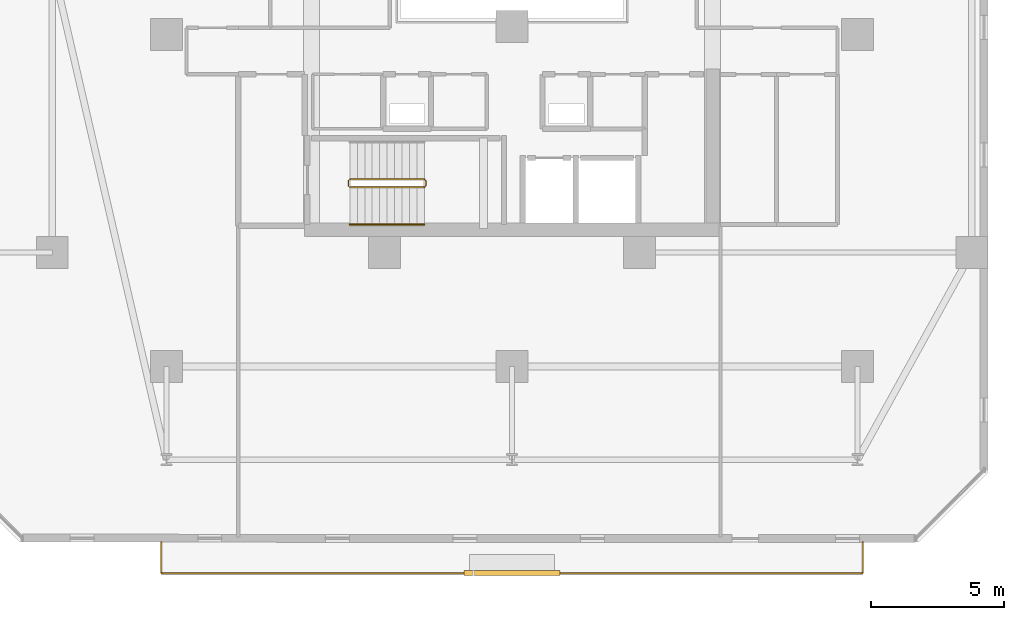
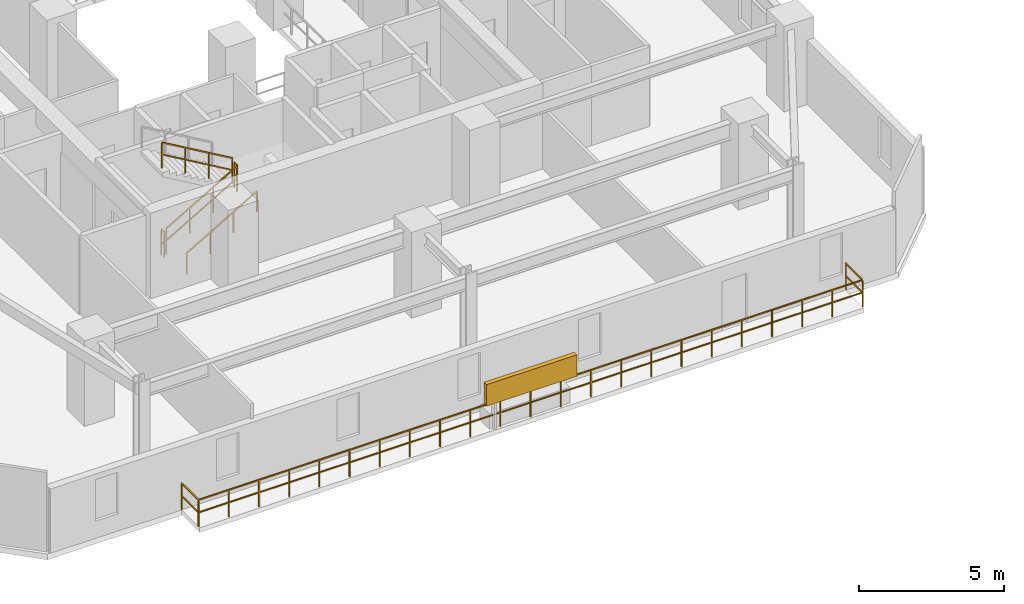
# One storey, part 29 of 33: 6 railings, 1 shading device.
"""IFC4 building model written with IfcOpenShell, lengths in metres."""

import ifcopenshell
import ifcopenshell.guid

model = None  # the IFC model being written
_history = None  # IfcOwnerHistory: only IFC2X3 demands one
_inside = {}  # id of a spatial element -> (the spatial element, [elements in it])
_under = {}  # id of a project, library or spatial element -> (it, [spatial elements below it])
_declared = {}  # id of a project -> (the project, [libraries it declares])
_typed = {}  # id of a type object -> (the type object, [elements of that type])
_made_of = {}  # id of a material, layer set ... -> (it, [elements and type objects made of it])


def new_model(schema):
    """Start an empty IFC model of exactly this schema.

    Asked for "IFC4X3", IfcOpenShell would pick the latest addendum, in which some entities
    have other attributes; the version numbers below select the first issue.
    IFC2X3 requires an IfcOwnerHistory on every rooted entity: one is made here for all.
    """
    global model, _history
    if schema == "IFC4X3":
        model = ifcopenshell.file(schema_version=(4, 3, 0, 0))
    else:
        model = ifcopenshell.file(schema=schema)
    _inside.clear()
    _under.clear()
    _declared.clear()
    _typed.clear()
    _made_of.clear()
    _history = None
    if model.schema == "IFC2X3":
        org = make("IfcOrganization", Name="unknown")
        user = make(
            "IfcPersonAndOrganization",
            ThePerson=make("IfcPerson", FamilyName="unknown"),
            TheOrganization=org,
        )
        app = make(
            "IfcApplication",
            ApplicationDeveloper=org,
            Version="unknown",
            ApplicationFullName="unknown",
            ApplicationIdentifier="unknown",
        )
        _history = make(
            "IfcOwnerHistory",
            OwningUser=user,
            OwningApplication=app,
            ChangeAction="ADDED",
            CreationDate=0,
        )
    return model


def make(cls, **values):
    """One entity of the class cls with the attributes given. An attribute that is None is left unset."""
    return model.create_entity(
        cls, **{name: value for name, value in values.items() if value is not None}
    )


def rooted(cls, **values):
    """An entity with a GlobalId (a new one), such as an element, a storey or a relation."""
    return make(cls, GlobalId=ifcopenshell.guid.new(), OwnerHistory=_history, **values)


def si_unit(unit_type, name, prefix=None):
    """IfcSIUnit, for example si_unit("LENGTHUNIT", "METRE", prefix="MILLI")."""
    return make("IfcSIUnit", UnitType=unit_type, Prefix=prefix, Name=name)


def assignment(units):
    """IfcUnitAssignment: the units of a project."""
    return None if units is None else make("IfcUnitAssignment", Units=units)


def point(xyz):
    """IfcCartesianPoint."""
    return None if xyz is None else make("IfcCartesianPoint", Coordinates=xyz)


def direction(xyz):
    """IfcDirection."""
    return None if xyz is None else make("IfcDirection", DirectionRatios=xyz)


def frame(location, z_axis=None, x_axis=None):
    """IfcAxis2Placement3D, a coordinate frame: its origin and axes. An axis left out is left unset."""
    return make(
        "IfcAxis2Placement3D",
        Location=point(location),
        Axis=direction(z_axis),
        RefDirection=direction(x_axis),
    )


def frame_2d(location, x_axis=None):
    """IfcAxis2Placement2D, a coordinate frame in the plane: its origin and x axis."""
    return make(
        "IfcAxis2Placement2D", Location=point(location), RefDirection=direction(x_axis)
    )


def origin():
    """The frame at (0, 0, 0) with its axes left unset."""
    return frame((0.0, 0.0, 0.0))


def origin_2d():
    """The frame at (0, 0) in the plane with its x axis left unset."""
    return frame_2d((0.0, 0.0))


def place(relative_to, where):
    """IfcLocalPlacement: puts the frame where relative to a parent placement (None: the world)."""
    return make(
        "IfcLocalPlacement", PlacementRelTo=relative_to, RelativePlacement=where
    )


def context(
    kind, dimensions, precision=None, world=None, true_north=None, identifier=None
):
    """IfcGeometricRepresentationContext, for example the 3D "Model" context."""
    return make(
        "IfcGeometricRepresentationContext",
        ContextIdentifier=identifier,
        ContextType=kind,
        CoordinateSpaceDimension=dimensions,
        Precision=precision,
        WorldCoordinateSystem=world,
        TrueNorth=true_north,
    )


def subcontext(parent, identifier, kind, view, scale=None):
    """IfcGeometricRepresentationSubContext, for example "Body" below "Model"."""
    return make(
        "IfcGeometricRepresentationSubContext",
        ContextIdentifier=identifier,
        ContextType=kind,
        ParentContext=parent,
        TargetScale=scale,
        TargetView=view,
    )


def project(units=None, contexts=None):
    """IfcProject with its units and contexts."""
    return rooted(
        "IfcProject",
        Name="project",
        RepresentationContexts=contexts,
        UnitsInContext=assignment(units),
    )


def spatial(cls, under=None, at=None, **own):
    """A site, building, storey or space (cls), placed at a placement, below another one or the project."""
    s = rooted(cls, ObjectPlacement=at, **own)
    if under is not None:
        _under.setdefault(under.id(), (under, []))[1].append(s)
    return s


def profile(cls, at=None, kind="AREA", **sizes):
    """A parametric profile (cls). Its sizes go by their IFC names, for example OverallWidth=200.0."""
    return make(cls, ProfileType=kind, Position=at, **sizes)


def rectangle(**sizes):
    """IfcRectangleProfileDef."""
    return profile("IfcRectangleProfileDef", **sizes)


def extrude(swept, where, along, depth):
    """IfcExtrudedAreaSolid: the profile swept, set in the frame where, extruded along a direction by depth."""
    return make(
        "IfcExtrudedAreaSolid",
        SweptArea=swept,
        Position=where,
        ExtrudedDirection=direction(along),
        Depth=depth,
    )


def shape(context_of_items, identifier, shape_type, items):
    """IfcShapeRepresentation: the items that make up one representation, for example the "Body"."""
    return make(
        "IfcShapeRepresentation",
        ContextOfItems=context_of_items,
        RepresentationIdentifier=identifier,
        RepresentationType=shape_type,
        Items=items,
    )


def material(Name=None, Category=None):
    """IfcMaterial."""
    return make("IfcMaterial", Name=Name, Category=Category)


def made_of(thing, what):
    """Note that an element or type object is made of a material, layer set ...; save() writes the relation."""
    if what is not None:
        _made_of.setdefault(what.id(), (what, []))[1].append(thing)
    return thing


def type_object(cls, material=None, **own):
    """A type object (cls), such as IfcWallType, which elements share."""
    return made_of(rooted(cls, **own), material)


def element(
    cls,
    number,
    at=None,
    inside=None,
    cuts=None,
    type_object=None,
    material=None,
    context=None,
    identifier="Body",
    shape_type=None,
    held_by="IfcProductDefinitionShape",
    body=None,
    shapes=None,
    **own,
):
    """One element of the class cls, such as IfcWall. Its Tag is "e" and its number.

    at: its placement. inside: the storey or other place that contains it. cuts: it is an
    opening in that element (IfcRelVoidsElement). A single representation is given by context,
    identifier, shape_type and body (its items); several are given by shapes. held_by: the class
    of the entity that holds the representations. save() writes the other relations.
    """
    e = rooted(cls, Tag="e%d" % number, ObjectPlacement=at, **own)
    if body is not None:
        shapes = [shape(context, identifier, shape_type, body)]
    if shapes is not None:
        e.Representation = make(held_by, Representations=shapes)
    if inside is not None:
        _inside.setdefault(inside.id(), (inside, []))[1].append(e)
    if cuts is not None:
        rooted(
            "IfcRelVoidsElement", RelatingBuildingElement=cuts, RelatedOpeningElement=e
        )
    if type_object is not None:
        _typed.setdefault(type_object.id(), (type_object, []))[1].append(e)
    return made_of(e, material)


def aggregate(whole, parts):
    """IfcRelAggregates: a whole, such as a stair, and the parts it consists of."""
    return rooted("IfcRelAggregates", RelatingObject=whole, RelatedObjects=parts)


def save(model, path):
    """Write the relations noted so far, then the file.

    IfcRelAggregates (storeys below a building ...), IfcRelContainedInSpatialStructure (elements
    in a storey), IfcRelDefinesByType, IfcRelAssociatesMaterial and IfcRelDeclares: one each for
    every whole, place, type object, material and project.
    """
    for whole, parts in _under.values():
        aggregate(whole, parts)
    for where, things in _inside.values():
        rooted(
            "IfcRelContainedInSpatialStructure",
            RelatedElements=things,
            RelatingStructure=where,
        )
    for kind, things in _typed.values():
        rooted("IfcRelDefinesByType", RelatedObjects=things, RelatingType=kind)
    for what, things in _made_of.values():
        rooted("IfcRelAssociatesMaterial", RelatedObjects=things, RelatingMaterial=what)
    for by, libraries in _declared.values():
        rooted("IfcRelDeclares", RelatingContext=by, RelatedDefinitions=libraries)
    model.write(path)


model = new_model("IFC4")

# Units and contexts
model_context = context("Model", 3, precision=1e-05, world=origin(), true_north=direction((0.0, 1.0)))
body_context = subcontext(model_context, "Body", "Model", "MODEL_VIEW")
ifc_project = project(units=[si_unit("LENGTHUNIT", "METRE"), si_unit("AREAUNIT", "SQUARE_METRE"), si_unit("VOLUMEUNIT", "CUBIC_METRE"), si_unit("PLANEANGLEUNIT", "RADIAN"), si_unit("MASSUNIT", "GRAM", prefix="KILO")], contexts=[model_context])

# Site, building, storey
site_placement = place(None, origin())
site = spatial("IfcSite", under=ifc_project, at=site_placement, CompositionType="ELEMENT")
building_placement = place(site_placement, origin())
building = spatial("IfcBuilding", under=site, at=building_placement, Name="Thornwick Lancets Civic Towers", CompositionType="ELEMENT")
storey_placement = place(building_placement, frame((0.0, 0.0, 130.5)))
storey = spatial("IfcBuildingStorey", under=building, at=storey_placement, Name="L34", CompositionType="ELEMENT", Elevation=130.5)

# Railings
ifc_material_1 = material(Name="Brushed stainless steel S355", Category="steel")
railing_type_1 = type_object("IfcRailingType", Name="RAIL_HANDRAIL", PredefinedType="HANDRAIL", material=ifc_material_1)
railing_1_placement = place(storey_placement, frame((19.39990234375, 15.050048828125, 0.16357421875)))
element("IfcRailing", 1, at=railing_1_placement, inside=storey, type_object=railing_type_1, Name="L34 ST-A1 stair handrail 1", PredefinedType="HANDRAIL", context=body_context, shape_type="SweptSolid", body=[
    extrude(rectangle(XDim=0.048095703125, YDim=0.048095703125, at=origin_2d()), frame((0.0, 0.0, 0.8857421875), z_axis=(0.863360870873, 0.0, 0.504586966384), x_axis=(0.0, 1.0, 0.0)), (0.0, 0.0, 1.0), 3.2431640625),
    extrude(rectangle(XDim=0.0419921875, YDim=0.0419921875, at=origin_2d()), origin(), (0.0, 0.0, 1.0), 0.855712890625),
    extrude(rectangle(XDim=0.0419921875, YDim=0.0419921875, at=origin_2d()), frame((0.933349609375, 0.0, 0.54541015625)), (0.0, 0.0, 1.0), 0.855712890625),
    extrude(rectangle(XDim=0.0419921875, YDim=0.0419921875, at=origin_2d()), frame((1.86669921875, 0.0, 1.091064453125)), (0.0, 0.0, 1.0), 0.855712890625),
    extrude(rectangle(XDim=0.0419921875, YDim=0.0419921875, at=origin_2d()), frame((2.800048828125, 0.0, 1.636474609375)), (0.0, 0.0, 1.0), 0.855712890625),
])
ifc_material_2 = material(Name="Steel S355JR", Category="steel")
railing_type_2 = type_object("IfcRailingType", Name="RAIL_STAIR_GUARD", PredefinedType="GUARDRAIL", material=ifc_material_2)
railing_2_placement = place(storey_placement, frame((19.39990234375, 16.449951171875, 0.16357421875)))
element("IfcRailing", 2, at=railing_2_placement, inside=storey, type_object=railing_type_2, Name="L34 ST-A1 stair guard 1", PredefinedType="GUARDRAIL", context=body_context, shape_type="SweptSolid", body=[
    extrude(rectangle(XDim=0.048095703125, YDim=0.048095703125, at=origin_2d()), frame((0.0, 0.0, 1.076171875), z_axis=(0.863360870873, 0.0, 0.504586966384), x_axis=(0.0, 1.0, 0.0)), (0.0, 0.0, 1.0), 3.2431640625),
    extrude(rectangle(XDim=0.0419921875, YDim=0.0419921875, at=origin_2d()), frame((0.032470703125, 0.0, 0.591064453125), z_axis=(0.863360870873, 0.0, 0.504586966384), x_axis=(0.0, 1.0, 0.0)), (0.0, 0.0, 1.0), 1.006103515625),
    extrude(rectangle(XDim=0.0419921875, YDim=0.0419921875, at=origin_2d()), frame((0.9658203125, 0.0, 1.136474609375), z_axis=(0.863360870873, 0.0, 0.504586966384), x_axis=(0.0, 1.0, 0.0)), (0.0, 0.0, 1.0), 1.006103515625),
    extrude(rectangle(XDim=0.0419921875, YDim=0.0419921875, at=origin_2d()), frame((1.899169921875, 0.0, 1.681884765625), z_axis=(0.863360870873, 0.0, 0.504586966384), x_axis=(0.0, 1.0, 0.0)), (0.0, 0.0, 1.0), 1.006103515625),
    extrude(rectangle(XDim=0.0419921875, YDim=0.0419921875, at=origin_2d()), origin(), (0.0, 0.0, 1.0), 1.0458984375),
    extrude(rectangle(XDim=0.0419921875, YDim=0.0419921875, at=origin_2d()), frame((0.933349609375, 0.0, 0.54541015625)), (0.0, 0.0, 1.0), 1.0458984375),
    extrude(rectangle(XDim=0.0419921875, YDim=0.0419921875, at=origin_2d()), frame((1.86669921875, 0.0, 1.091064453125)), (0.0, 0.0, 1.0), 1.0458984375),
    extrude(rectangle(XDim=0.0419921875, YDim=0.0419921875, at=origin_2d()), frame((2.800048828125, 0.0, 1.636474609375)), (0.0, 0.0, 1.0), 1.0458984375),
])
railing_3_placement = place(storey_placement, frame((22.25, 16.5, 1.800048828125)))
element("IfcRailing", 3, at=railing_3_placement, inside=storey, type_object=railing_type_2, Name="L34 ST-A1 stair guard 2", PredefinedType="GUARDRAIL", context=body_context, shape_type="SweptSolid", body=[
    extrude(rectangle(XDim=0.048095703125, YDim=0.048095703125, at=origin_2d()), frame((0.0, 0.0, 1.076171875), z_axis=(0.0, 1.0, 0.0), x_axis=(-1.0, 0.0, 0.0)), (0.0, 0.0, 1.0), 0.199951171875),
    extrude(rectangle(XDim=0.0419921875, YDim=0.0419921875, at=origin_2d()), frame((0.0, 0.03759765625, 0.572021484375), z_axis=(0.0, 1.0, 0.0), x_axis=(-1.0, 0.0, 0.0)), (0.0, 0.0, 1.0), 0.125),
    extrude(rectangle(XDim=0.0419921875, YDim=0.0419921875, at=origin_2d()), origin(), (0.0, 0.0, 1.0), 1.0458984375),
    extrude(rectangle(XDim=0.0419921875, YDim=0.0419921875, at=origin_2d()), frame((0.0, 0.199951171875, 0.0)), (0.0, 0.0, 1.0), 1.0458984375),
])
railing_4_placement = place(storey_placement, frame((22.199951171875, 16.75, 1.963623046875)))
element("IfcRailing", 4, at=railing_4_placement, inside=storey, type_object=railing_type_2, Name="L34 ST-A1 stair guard 3", PredefinedType="GUARDRAIL", context=body_context, shape_type="SweptSolid", body=[
    extrude(rectangle(XDim=0.048095703125, YDim=0.048095703125, at=origin_2d()), frame((0.0, 0.0, 1.076171875), z_axis=(-0.863360870873, 0.0, 0.504586966384), x_axis=(0.0, -1.0, 0.0)), (0.0, 0.0, 1.0), 3.2431640625),
    extrude(rectangle(XDim=0.0419921875, YDim=0.0419921875, at=origin_2d()), frame((-0.032470703125, 0.0, 0.591064453125), z_axis=(-0.863360870873, 0.0, 0.504586966384), x_axis=(0.0, -1.0, 0.0)), (0.0, 0.0, 1.0), 1.006103515625),
    extrude(rectangle(XDim=0.0419921875, YDim=0.0419921875, at=origin_2d()), frame((-0.9658203125, 0.0, 1.136474609375), z_axis=(-0.863360870873, 0.0, 0.504586966384), x_axis=(0.0, -1.0, 0.0)), (0.0, 0.0, 1.0), 1.006103515625),
    extrude(rectangle(XDim=0.0419921875, YDim=0.0419921875, at=origin_2d()), frame((-1.899169921875, 0.0, 1.681884765625), z_axis=(-0.863360870873, 0.0, 0.504586966384), x_axis=(0.0, -1.0, 0.0)), (0.0, 0.0, 1.0), 1.006103515625),
    extrude(rectangle(XDim=0.0419921875, YDim=0.0419921875, at=origin_2d()), origin(), (0.0, 0.0, 1.0), 1.0458984375),
    extrude(rectangle(XDim=0.0419921875, YDim=0.0419921875, at=origin_2d()), frame((-0.933349609375, 0.0, 0.54541015625)), (0.0, 0.0, 1.0), 1.0458984375),
    extrude(rectangle(XDim=0.0419921875, YDim=0.0419921875, at=origin_2d()), frame((-1.86669921875, 0.0, 1.091064453125)), (0.0, 0.0, 1.0), 1.0458984375),
    extrude(rectangle(XDim=0.0419921875, YDim=0.0419921875, at=origin_2d()), frame((-2.800048828125, 0.0, 1.636474609375)), (0.0, 0.0, 1.0), 1.0458984375),
])
railing_5_placement = place(storey_placement, frame((19.35009765625, 16.5, 0.0)))
element("IfcRailing", 5, at=railing_5_placement, inside=storey, type_object=railing_type_2, Name="L34 ST-A1 stair guard 4", PredefinedType="GUARDRAIL", context=body_context, shape_type="SweptSolid", body=[
    extrude(rectangle(XDim=0.048095703125, YDim=0.048095703125, at=origin_2d()), frame((0.0, 0.0, 1.076171875), z_axis=(0.0, 1.0, 0.0), x_axis=(-1.0, 0.0, 0.0)), (0.0, 0.0, 1.0), 0.199951171875),
    extrude(rectangle(XDim=0.0419921875, YDim=0.0419921875, at=origin_2d()), frame((0.0, 0.03759765625, 0.572021484375), z_axis=(0.0, 1.0, 0.0), x_axis=(-1.0, 0.0, 0.0)), (0.0, 0.0, 1.0), 0.125),
    extrude(rectangle(XDim=0.0419921875, YDim=0.0419921875, at=origin_2d()), origin(), (0.0, 0.0, 1.0), 1.0458984375),
    extrude(rectangle(XDim=0.0419921875, YDim=0.0419921875, at=origin_2d()), frame((0.0, 0.199951171875, 0.0)), (0.0, 0.0, 1.0), 1.0458984375),
])
ifc_material_3 = material(Name="Terracotta-capped laminated glass balustrade S355", Category="masonry")
railing_type_3 = type_object("IfcRailingType", Name="RAIL_TERR_GUARD", PredefinedType="GUARDRAIL", material=ifc_material_3)
railing_6_placement = place(storey_placement, frame((12.300048828125, 3.10009765625, 0.0)))
element("IfcRailing", 6, at=railing_6_placement, inside=storey, type_object=railing_type_3, Name="L34 Tower A Balcony Guard S", PredefinedType="GUARDRAIL", context=body_context, shape_type="SweptSolid", body=[
    extrude(rectangle(XDim=0.048095703125, YDim=0.048095703125, at=origin_2d()), frame((0.0, 0.0, 1.1259765625), z_axis=(0.0, -1.0, 0.0), x_axis=(1.0, 0.0, 0.0)), (0.0, 0.0, 1.0), 1.138916015625),
    extrude(rectangle(XDim=0.0419921875, YDim=0.0419921875, at=origin_2d()), frame((0.0, -0.03759765625, 0.597900390625), z_axis=(0.0, -1.0, 0.0), x_axis=(1.0, 0.0, 0.0)), (0.0, 0.0, 1.0), 1.09521484375),
    extrude(rectangle(XDim=0.048095703125, YDim=0.048095703125, at=origin_2d()), frame((0.03125, -1.170166015625, 1.1259765625), z_axis=(1.0, 0.0, 0.0), x_axis=(0.0, 1.0, 0.0)), (0.0, 0.0, 1.0), 26.33740234375),
    extrude(rectangle(XDim=0.0419921875, YDim=0.0419921875, at=origin_2d()), frame((0.03759765625, -1.170166015625, 0.597900390625), z_axis=(1.0, 0.0, 0.0), x_axis=(0.0, 1.0, 0.0)), (0.0, 0.0, 1.0), 1.125),
    extrude(rectangle(XDim=0.0419921875, YDim=0.0419921875, at=origin_2d()), frame((1.237548828125, -1.170166015625, 0.597900390625), z_axis=(1.0, 0.0, 0.0), x_axis=(0.0, 1.0, 0.0)), (0.0, 0.0, 1.0), 1.125),
    extrude(rectangle(XDim=0.0419921875, YDim=0.0419921875, at=origin_2d()), frame((2.4375, -1.170166015625, 0.597900390625), z_axis=(1.0, 0.0, 0.0), x_axis=(0.0, 1.0, 0.0)), (0.0, 0.0, 1.0), 1.125),
    extrude(rectangle(XDim=0.0419921875, YDim=0.0419921875, at=origin_2d()), frame((3.637451171875, -1.170166015625, 0.597900390625), z_axis=(1.0, 0.0, 0.0), x_axis=(0.0, 1.0, 0.0)), (0.0, 0.0, 1.0), 1.125),
    extrude(rectangle(XDim=0.0419921875, YDim=0.0419921875, at=origin_2d()), frame((4.83740234375, -1.170166015625, 0.597900390625), z_axis=(1.0, 0.0, 0.0), x_axis=(0.0, 1.0, 0.0)), (0.0, 0.0, 1.0), 1.125),
    extrude(rectangle(XDim=0.0419921875, YDim=0.0419921875, at=origin_2d()), frame((6.037353515625, -1.170166015625, 0.597900390625), z_axis=(1.0, 0.0, 0.0), x_axis=(0.0, 1.0, 0.0)), (0.0, 0.0, 1.0), 1.125),
    extrude(rectangle(XDim=0.0419921875, YDim=0.0419921875, at=origin_2d()), frame((7.237548828125, -1.170166015625, 0.597900390625), z_axis=(1.0, 0.0, 0.0), x_axis=(0.0, 1.0, 0.0)), (0.0, 0.0, 1.0), 1.125),
    extrude(rectangle(XDim=0.0419921875, YDim=0.0419921875, at=origin_2d()), frame((8.4375, -1.170166015625, 0.597900390625), z_axis=(1.0, 0.0, 0.0), x_axis=(0.0, 1.0, 0.0)), (0.0, 0.0, 1.0), 1.125),
    extrude(rectangle(XDim=0.0419921875, YDim=0.0419921875, at=origin_2d()), frame((9.637451171875, -1.170166015625, 0.597900390625), z_axis=(1.0, 0.0, 0.0), x_axis=(0.0, 1.0, 0.0)), (0.0, 0.0, 1.0), 1.125),
    extrude(rectangle(XDim=0.0419921875, YDim=0.0419921875, at=origin_2d()), frame((10.83740234375, -1.170166015625, 0.597900390625), z_axis=(1.0, 0.0, 0.0), x_axis=(0.0, 1.0, 0.0)), (0.0, 0.0, 1.0), 1.125),
    extrude(rectangle(XDim=0.0419921875, YDim=0.0419921875, at=origin_2d()), frame((12.037353515625, -1.170166015625, 0.597900390625), z_axis=(1.0, 0.0, 0.0), x_axis=(0.0, 1.0, 0.0)), (0.0, 0.0, 1.0), 1.125),
    extrude(rectangle(XDim=0.0419921875, YDim=0.0419921875, at=origin_2d()), frame((13.237548828125, -1.170166015625, 0.597900390625), z_axis=(1.0, 0.0, 0.0), x_axis=(0.0, 1.0, 0.0)), (0.0, 0.0, 1.0), 1.125),
    extrude(rectangle(XDim=0.0419921875, YDim=0.0419921875, at=origin_2d()), frame((14.4375, -1.170166015625, 0.597900390625), z_axis=(1.0, 0.0, 0.0), x_axis=(0.0, 1.0, 0.0)), (0.0, 0.0, 1.0), 1.125),
    extrude(rectangle(XDim=0.0419921875, YDim=0.0419921875, at=origin_2d()), frame((15.637451171875, -1.170166015625, 0.597900390625), z_axis=(1.0, 0.0, 0.0), x_axis=(0.0, 1.0, 0.0)), (0.0, 0.0, 1.0), 1.125),
    extrude(rectangle(XDim=0.0419921875, YDim=0.0419921875, at=origin_2d()), frame((16.83740234375, -1.170166015625, 0.597900390625), z_axis=(1.0, 0.0, 0.0), x_axis=(0.0, 1.0, 0.0)), (0.0, 0.0, 1.0), 1.125),
    extrude(rectangle(XDim=0.0419921875, YDim=0.0419921875, at=origin_2d()), frame((18.037353515625, -1.170166015625, 0.597900390625), z_axis=(1.0, 0.0, 0.0), x_axis=(0.0, 1.0, 0.0)), (0.0, 0.0, 1.0), 1.125),
    extrude(rectangle(XDim=0.0419921875, YDim=0.0419921875, at=origin_2d()), frame((19.2373046875, -1.170166015625, 0.597900390625), z_axis=(1.0, 0.0, 0.0), x_axis=(0.0, 1.0, 0.0)), (0.0, 0.0, 1.0), 1.125),
    extrude(rectangle(XDim=0.0419921875, YDim=0.0419921875, at=origin_2d()), frame((20.4375, -1.170166015625, 0.597900390625), z_axis=(1.0, 0.0, 0.0), x_axis=(0.0, 1.0, 0.0)), (0.0, 0.0, 1.0), 1.125),
    extrude(rectangle(XDim=0.0419921875, YDim=0.0419921875, at=origin_2d()), frame((21.637451171875, -1.170166015625, 0.597900390625), z_axis=(1.0, 0.0, 0.0), x_axis=(0.0, 1.0, 0.0)), (0.0, 0.0, 1.0), 1.125),
    extrude(rectangle(XDim=0.0419921875, YDim=0.0419921875, at=origin_2d()), frame((22.83740234375, -1.170166015625, 0.597900390625), z_axis=(1.0, 0.0, 0.0), x_axis=(0.0, 1.0, 0.0)), (0.0, 0.0, 1.0), 1.125),
    extrude(rectangle(XDim=0.0419921875, YDim=0.0419921875, at=origin_2d()), frame((24.037353515625, -1.170166015625, 0.597900390625), z_axis=(1.0, 0.0, 0.0), x_axis=(0.0, 1.0, 0.0)), (0.0, 0.0, 1.0), 1.125),
    extrude(rectangle(XDim=0.0419921875, YDim=0.0419921875, at=origin_2d()), frame((25.2373046875, -1.170166015625, 0.597900390625), z_axis=(1.0, 0.0, 0.0), x_axis=(0.0, 1.0, 0.0)), (0.0, 0.0, 1.0), 1.125),
    extrude(rectangle(XDim=0.048095703125, YDim=0.048095703125, at=origin_2d()), frame((26.39990234375, -1.138916015625, 1.1259765625), z_axis=(0.0, 1.0, 0.0), x_axis=(-1.0, 0.0, 0.0)), (0.0, 0.0, 1.0), 1.138916015625),
    extrude(rectangle(XDim=0.0419921875, YDim=0.0419921875, at=origin_2d()), frame((26.39990234375, -1.132568359375, 0.597900390625), z_axis=(0.0, 1.0, 0.0), x_axis=(-1.0, 0.0, 0.0)), (0.0, 0.0, 1.0), 1.09521484375),
    extrude(rectangle(XDim=0.0419921875, YDim=0.0419921875, at=origin_2d()), origin(), (0.0, 0.0, 1.0), 1.095703125),
    extrude(rectangle(XDim=0.0419921875, YDim=0.0419921875, at=origin_2d()), frame((0.0, -1.170166015625, 0.0)), (0.0, 0.0, 1.0), 1.095703125),
    extrude(rectangle(XDim=0.0419921875, YDim=0.0419921875, at=origin_2d()), frame((1.199951171875, -1.170166015625, 0.0)), (0.0, 0.0, 1.0), 1.095703125),
    extrude(rectangle(XDim=0.0419921875, YDim=0.0419921875, at=origin_2d()), frame((2.39990234375, -1.170166015625, 0.0)), (0.0, 0.0, 1.0), 1.095703125),
    extrude(rectangle(XDim=0.0419921875, YDim=0.0419921875, at=origin_2d()), frame((3.60009765625, -1.170166015625, 0.0)), (0.0, 0.0, 1.0), 1.095703125),
    extrude(rectangle(XDim=0.0419921875, YDim=0.0419921875, at=origin_2d()), frame((4.800048828125, -1.170166015625, 0.0)), (0.0, 0.0, 1.0), 1.095703125),
    extrude(rectangle(XDim=0.0419921875, YDim=0.0419921875, at=origin_2d()), frame((6.0, -1.170166015625, 0.0)), (0.0, 0.0, 1.0), 1.095703125),
    extrude(rectangle(XDim=0.0419921875, YDim=0.0419921875, at=origin_2d()), frame((7.199951171875, -1.170166015625, 0.0)), (0.0, 0.0, 1.0), 1.095703125),
    extrude(rectangle(XDim=0.0419921875, YDim=0.0419921875, at=origin_2d()), frame((8.39990234375, -1.170166015625, 0.0)), (0.0, 0.0, 1.0), 1.095703125),
    extrude(rectangle(XDim=0.0419921875, YDim=0.0419921875, at=origin_2d()), frame((9.599853515625, -1.170166015625, 0.0)), (0.0, 0.0, 1.0), 1.095703125),
    extrude(rectangle(XDim=0.0419921875, YDim=0.0419921875, at=origin_2d()), frame((10.800048828125, -1.170166015625, 0.0)), (0.0, 0.0, 1.0), 1.095703125),
    extrude(rectangle(XDim=0.0419921875, YDim=0.0419921875, at=origin_2d()), frame((12.0, -1.170166015625, 0.0)), (0.0, 0.0, 1.0), 1.095703125),
    extrude(rectangle(XDim=0.0419921875, YDim=0.0419921875, at=origin_2d()), frame((13.199951171875, -1.170166015625, 0.0)), (0.0, 0.0, 1.0), 1.095703125),
    extrude(rectangle(XDim=0.0419921875, YDim=0.0419921875, at=origin_2d()), frame((14.39990234375, -1.170166015625, 0.0)), (0.0, 0.0, 1.0), 1.095703125),
    extrude(rectangle(XDim=0.0419921875, YDim=0.0419921875, at=origin_2d()), frame((15.599853515625, -1.170166015625, 0.0)), (0.0, 0.0, 1.0), 1.095703125),
    extrude(rectangle(XDim=0.0419921875, YDim=0.0419921875, at=origin_2d()), frame((16.800048828125, -1.170166015625, 0.0)), (0.0, 0.0, 1.0), 1.095703125),
    extrude(rectangle(XDim=0.0419921875, YDim=0.0419921875, at=origin_2d()), frame((18.0, -1.170166015625, 0.0)), (0.0, 0.0, 1.0), 1.095703125),
    extrude(rectangle(XDim=0.0419921875, YDim=0.0419921875, at=origin_2d()), frame((19.199951171875, -1.170166015625, 0.0)), (0.0, 0.0, 1.0), 1.095703125),
    extrude(rectangle(XDim=0.0419921875, YDim=0.0419921875, at=origin_2d()), frame((20.39990234375, -1.170166015625, 0.0)), (0.0, 0.0, 1.0), 1.095703125),
    extrude(rectangle(XDim=0.0419921875, YDim=0.0419921875, at=origin_2d()), frame((21.599853515625, -1.170166015625, 0.0)), (0.0, 0.0, 1.0), 1.095703125),
    extrude(rectangle(XDim=0.0419921875, YDim=0.0419921875, at=origin_2d()), frame((22.7998046875, -1.170166015625, 0.0)), (0.0, 0.0, 1.0), 1.095703125),
    extrude(rectangle(XDim=0.0419921875, YDim=0.0419921875, at=origin_2d()), frame((24.0, -1.170166015625, 0.0)), (0.0, 0.0, 1.0), 1.095703125),
    extrude(rectangle(XDim=0.0419921875, YDim=0.0419921875, at=origin_2d()), frame((25.199951171875, -1.170166015625, 0.0)), (0.0, 0.0, 1.0), 1.095703125),
    extrude(rectangle(XDim=0.0419921875, YDim=0.0419921875, at=origin_2d()), frame((26.39990234375, -1.170166015625, 0.0)), (0.0, 0.0, 1.0), 1.095703125),
    extrude(rectangle(XDim=0.0419921875, YDim=0.0419921875, at=origin_2d()), frame((26.39990234375, 0.0, 0.0)), (0.0, 0.0, 1.0), 1.095703125),
])

# Shading device
ifc_material_4 = material(Name="Extruded terracotta baguette solar screen", Category="masonry")
shading_device_type = type_object("IfcShadingDeviceType", Name="SHADE_BAGUETTE", PredefinedType="JALOUSIE", material=ifc_material_4)
shading_device_placement = place(storey_placement, frame((25.5, 1.93994140625, 1.1201171875), z_axis=(0.0, 0.0, 1.0), x_axis=(1.0, 0.0, 0.0)))
element("IfcShadingDevice", 7, at=shading_device_placement, inside=storey, type_object=shading_device_type, Name="L34 Tower A Terracotta Baguette Screen S", PredefinedType="JALOUSIE", context=body_context, shape_type="SweptSolid", body=[
    extrude(rectangle(XDim=3.60009765625, YDim=0.179931640625, at=origin_2d()), origin(), (0.0, 0.0, 1.0), 0.89990234375),
])

save(model, "model.ifc")
